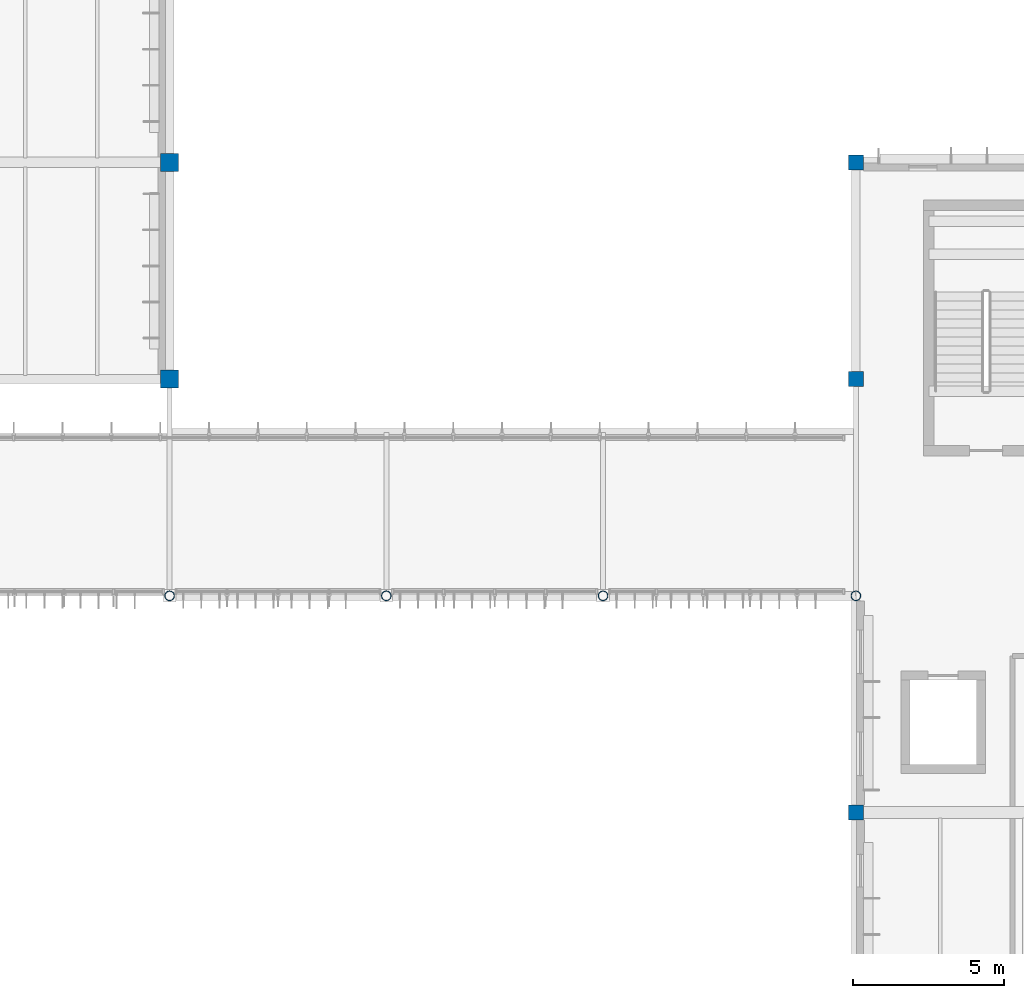
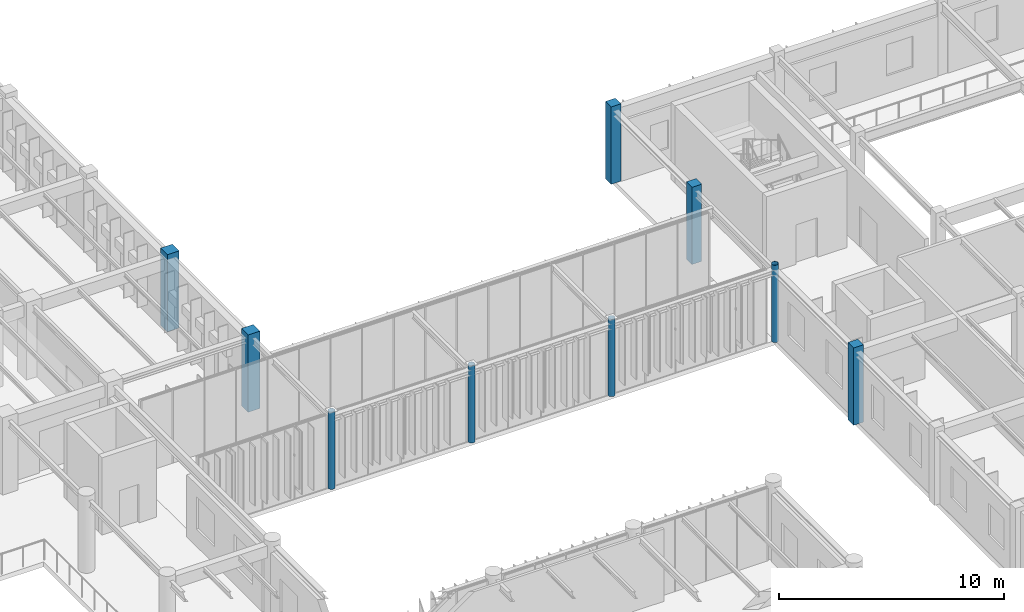
# One storey, part 5 of 122: 9 columns.
"""IFC4 building model written with IfcOpenShell, lengths in metres."""

import ifcopenshell
import ifcopenshell.guid

model = None  # the IFC model being written
_history = None  # IfcOwnerHistory: only IFC2X3 demands one
_inside = {}  # id of a spatial element -> (the spatial element, [elements in it])
_under = {}  # id of a project, library or spatial element -> (it, [spatial elements below it])
_declared = {}  # id of a project -> (the project, [libraries it declares])
_typed = {}  # id of a type object -> (the type object, [elements of that type])
_made_of = {}  # id of a material, layer set ... -> (it, [elements and type objects made of it])


def new_model(schema):
    """Start an empty IFC model of exactly this schema.

    Asked for "IFC4X3", IfcOpenShell would pick the latest addendum, in which some entities
    have other attributes; the version numbers below select the first issue.
    IFC2X3 requires an IfcOwnerHistory on every rooted entity: one is made here for all.
    """
    global model, _history
    if schema == "IFC4X3":
        model = ifcopenshell.file(schema_version=(4, 3, 0, 0))
    else:
        model = ifcopenshell.file(schema=schema)
    _inside.clear()
    _under.clear()
    _declared.clear()
    _typed.clear()
    _made_of.clear()
    _history = None
    if model.schema == "IFC2X3":
        org = make("IfcOrganization", Name="unknown")
        user = make(
            "IfcPersonAndOrganization",
            ThePerson=make("IfcPerson", FamilyName="unknown"),
            TheOrganization=org,
        )
        app = make(
            "IfcApplication",
            ApplicationDeveloper=org,
            Version="unknown",
            ApplicationFullName="unknown",
            ApplicationIdentifier="unknown",
        )
        _history = make(
            "IfcOwnerHistory",
            OwningUser=user,
            OwningApplication=app,
            ChangeAction="ADDED",
            CreationDate=0,
        )
    return model


def make(cls, **values):
    """One entity of the class cls with the attributes given. An attribute that is None is left unset."""
    return model.create_entity(
        cls, **{name: value for name, value in values.items() if value is not None}
    )


def rooted(cls, **values):
    """An entity with a GlobalId (a new one), such as an element, a storey or a relation."""
    return make(cls, GlobalId=ifcopenshell.guid.new(), OwnerHistory=_history, **values)


def si_unit(unit_type, name, prefix=None):
    """IfcSIUnit, for example si_unit("LENGTHUNIT", "METRE", prefix="MILLI")."""
    return make("IfcSIUnit", UnitType=unit_type, Prefix=prefix, Name=name)


def assignment(units):
    """IfcUnitAssignment: the units of a project."""
    return None if units is None else make("IfcUnitAssignment", Units=units)


def point(xyz):
    """IfcCartesianPoint."""
    return None if xyz is None else make("IfcCartesianPoint", Coordinates=xyz)


def direction(xyz):
    """IfcDirection."""
    return None if xyz is None else make("IfcDirection", DirectionRatios=xyz)


def frame(location, z_axis=None, x_axis=None):
    """IfcAxis2Placement3D, a coordinate frame: its origin and axes. An axis left out is left unset."""
    return make(
        "IfcAxis2Placement3D",
        Location=point(location),
        Axis=direction(z_axis),
        RefDirection=direction(x_axis),
    )


def frame_2d(location, x_axis=None):
    """IfcAxis2Placement2D, a coordinate frame in the plane: its origin and x axis."""
    return make(
        "IfcAxis2Placement2D", Location=point(location), RefDirection=direction(x_axis)
    )


def origin():
    """The frame at (0, 0, 0) with its axes left unset."""
    return frame((0.0, 0.0, 0.0))


def origin_2d():
    """The frame at (0, 0) in the plane with its x axis left unset."""
    return frame_2d((0.0, 0.0))


def place(relative_to, where):
    """IfcLocalPlacement: puts the frame where relative to a parent placement (None: the world)."""
    return make(
        "IfcLocalPlacement", PlacementRelTo=relative_to, RelativePlacement=where
    )


def context(
    kind, dimensions, precision=None, world=None, true_north=None, identifier=None
):
    """IfcGeometricRepresentationContext, for example the 3D "Model" context."""
    return make(
        "IfcGeometricRepresentationContext",
        ContextIdentifier=identifier,
        ContextType=kind,
        CoordinateSpaceDimension=dimensions,
        Precision=precision,
        WorldCoordinateSystem=world,
        TrueNorth=true_north,
    )


def subcontext(parent, identifier, kind, view, scale=None):
    """IfcGeometricRepresentationSubContext, for example "Body" below "Model"."""
    return make(
        "IfcGeometricRepresentationSubContext",
        ContextIdentifier=identifier,
        ContextType=kind,
        ParentContext=parent,
        TargetScale=scale,
        TargetView=view,
    )


def project(units=None, contexts=None):
    """IfcProject with its units and contexts."""
    return rooted(
        "IfcProject",
        Name="project",
        RepresentationContexts=contexts,
        UnitsInContext=assignment(units),
    )


def spatial(cls, under=None, at=None, **own):
    """A site, building, storey or space (cls), placed at a placement, below another one or the project."""
    s = rooted(cls, ObjectPlacement=at, **own)
    if under is not None:
        _under.setdefault(under.id(), (under, []))[1].append(s)
    return s


def profile(cls, at=None, kind="AREA", **sizes):
    """A parametric profile (cls). Its sizes go by their IFC names, for example OverallWidth=200.0."""
    return make(cls, ProfileType=kind, Position=at, **sizes)


def rectangle(**sizes):
    """IfcRectangleProfileDef."""
    return profile("IfcRectangleProfileDef", **sizes)


def hollow_circle(**sizes):
    """IfcCircleHollowProfileDef."""
    return profile("IfcCircleHollowProfileDef", **sizes)


def extrude(swept, where, along, depth):
    """IfcExtrudedAreaSolid: the profile swept, set in the frame where, extruded along a direction by depth."""
    return make(
        "IfcExtrudedAreaSolid",
        SweptArea=swept,
        Position=where,
        ExtrudedDirection=direction(along),
        Depth=depth,
    )


def shape(context_of_items, identifier, shape_type, items):
    """IfcShapeRepresentation: the items that make up one representation, for example the "Body"."""
    return make(
        "IfcShapeRepresentation",
        ContextOfItems=context_of_items,
        RepresentationIdentifier=identifier,
        RepresentationType=shape_type,
        Items=items,
    )


def material(Name=None, Category=None):
    """IfcMaterial."""
    return make("IfcMaterial", Name=Name, Category=Category)


def material_profile(
    of_material, cross_section, Name=None, Category=None, Priority=None
):
    """IfcMaterialProfile: a cross section and its material."""
    return make(
        "IfcMaterialProfile",
        Name=Name,
        Material=of_material,
        Profile=cross_section,
        Priority=Priority,
        Category=Category,
    )


def profile_set(profiles, Name=None, composite=None):
    """IfcMaterialProfileSet."""
    return make(
        "IfcMaterialProfileSet",
        Name=Name,
        MaterialProfiles=profiles,
        CompositeProfile=composite,
    )


def made_of(thing, what):
    """Note that an element or type object is made of a material, layer set ...; save() writes the relation."""
    if what is not None:
        _made_of.setdefault(what.id(), (what, []))[1].append(thing)
    return thing


def type_object(cls, material=None, **own):
    """A type object (cls), such as IfcWallType, which elements share."""
    return made_of(rooted(cls, **own), material)


def element(
    cls,
    number,
    at=None,
    inside=None,
    cuts=None,
    type_object=None,
    material=None,
    context=None,
    identifier="Body",
    shape_type=None,
    held_by="IfcProductDefinitionShape",
    body=None,
    shapes=None,
    **own,
):
    """One element of the class cls, such as IfcWall. Its Tag is "e" and its number.

    at: its placement. inside: the storey or other place that contains it. cuts: it is an
    opening in that element (IfcRelVoidsElement). A single representation is given by context,
    identifier, shape_type and body (its items); several are given by shapes. held_by: the class
    of the entity that holds the representations. save() writes the other relations.
    """
    e = rooted(cls, Tag="e%d" % number, ObjectPlacement=at, **own)
    if body is not None:
        shapes = [shape(context, identifier, shape_type, body)]
    if shapes is not None:
        e.Representation = make(held_by, Representations=shapes)
    if inside is not None:
        _inside.setdefault(inside.id(), (inside, []))[1].append(e)
    if cuts is not None:
        rooted(
            "IfcRelVoidsElement", RelatingBuildingElement=cuts, RelatedOpeningElement=e
        )
    if type_object is not None:
        _typed.setdefault(type_object.id(), (type_object, []))[1].append(e)
    return made_of(e, material)


def aggregate(whole, parts):
    """IfcRelAggregates: a whole, such as a stair, and the parts it consists of."""
    return rooted("IfcRelAggregates", RelatingObject=whole, RelatedObjects=parts)


def save(model, path):
    """Write the relations noted so far, then the file.

    IfcRelAggregates (storeys below a building ...), IfcRelContainedInSpatialStructure (elements
    in a storey), IfcRelDefinesByType, IfcRelAssociatesMaterial and IfcRelDeclares: one each for
    every whole, place, type object, material and project.
    """
    for whole, parts in _under.values():
        aggregate(whole, parts)
    for where, things in _inside.values():
        rooted(
            "IfcRelContainedInSpatialStructure",
            RelatedElements=things,
            RelatingStructure=where,
        )
    for kind, things in _typed.values():
        rooted("IfcRelDefinesByType", RelatedObjects=things, RelatingType=kind)
    for what, things in _made_of.values():
        rooted("IfcRelAssociatesMaterial", RelatedObjects=things, RelatingMaterial=what)
    for by, libraries in _declared.values():
        rooted("IfcRelDeclares", RelatingContext=by, RelatedDefinitions=libraries)
    model.write(path)


model = new_model("IFC4")

# Units and contexts
model_context = context("Model", 3, precision=1e-05, world=origin(), true_north=direction((0.0, 1.0)))
body_context = subcontext(model_context, "Body", "Model", "MODEL_VIEW")
ifc_project = project(units=[si_unit("LENGTHUNIT", "METRE"), si_unit("AREAUNIT", "SQUARE_METRE"), si_unit("VOLUMEUNIT", "CUBIC_METRE"), si_unit("PLANEANGLEUNIT", "RADIAN"), si_unit("MASSUNIT", "GRAM", prefix="KILO")], contexts=[model_context])

# Site, building, storey
site_placement = place(None, origin())
site = spatial("IfcSite", under=ifc_project, at=site_placement, CompositionType="ELEMENT")
building_placement = place(site_placement, origin())
building = spatial("IfcBuilding", under=site, at=building_placement, Name="Tazoul Stagehouse", CompositionType="ELEMENT")
storey_placement = place(building_placement, frame((0.0, 0.0, 4.800048828125)))
storey = spatial("IfcBuildingStorey", under=building, at=storey_placement, Name="L01", CompositionType="ELEMENT", Elevation=4.800048828125)

# Columns
ifc_material_1 = material(Name="Concrete C40/50", Category="concrete")
ifc_material_profile_1 = material_profile(ifc_material_1, rectangle(XDim=0.5, YDim=0.5, at=origin_2d()), Name="RC 500x500")
ifc_profile_set_1 = profile_set([ifc_material_profile_1], Name="Concrete C40/50")
column_type_1 = type_object("IfcColumnType", Name="RC Column 500x500 (Exterior)", PredefinedType="COLUMN", material=ifc_profile_set_1)
for number, where, z_axis, x_axis, name in (
    (1, (125.39990234375, 37.39990234375, 0.0), (0.0, 0.0, 1.0), (1.0, 0.0, 0.0), "L01 Column C-02E at 19/F"),
    (2, (125.39990234375, 51.800048828125, 0.0), (0.0, 0.0, 1.0), (1.0, 0.0, 0.0), "L01 Column C-02E at 19/H"),
    (3, (125.39990234375, 59.0, 0.0), (0.0, 0.0, 1.0), (1.0, 0.0, 0.0), "L01 Column C-02E at 19/J"),
):
    element("IfcColumn", number, at=place(storey_placement, frame(where, z_axis=z_axis, x_axis=x_axis)), inside=storey, type_object=column_type_1, Name=name, PredefinedType="COLUMN", context=body_context, shape_type="SweptSolid", body=[
        extrude(rectangle(XDim=0.5, YDim=0.5, at=origin_2d()), origin(), (0.0, 0.0, 1.0), 4.199951171875),
    ])
ifc_material_profile_2 = material_profile(ifc_material_1, rectangle(XDim=0.60009765625, YDim=0.60009765625, at=origin_2d()), Name="RC 600x600")
ifc_profile_set_2 = profile_set([ifc_material_profile_2], Name="Concrete C40/50")
column_type_2 = type_object("IfcColumnType", Name="RC Column 600x600 (Exterior)", PredefinedType="COLUMN", material=ifc_profile_set_2)
for number, where, z_axis, x_axis, name in (
    (4, (102.60009765625, 51.800048828125, 0.0), (0.0, 0.0, 1.0), (1.0, 0.0, 0.0), "L01 Column C-03E at 16/H"),
    (5, (102.60009765625, 59.0, 0.0), (0.0, 0.0, 1.0), (1.0, 0.0, 0.0), "L01 Column C-03E at 16/J"),
):
    element("IfcColumn", number, at=place(storey_placement, frame(where, z_axis=z_axis, x_axis=x_axis)), inside=storey, type_object=column_type_2, Name=name, PredefinedType="COLUMN", context=body_context, shape_type="SweptSolid", body=[
        extrude(rectangle(XDim=0.60009765625, YDim=0.60009765625, at=origin_2d()), origin(), (0.0, 0.0, 1.0), 4.199951171875),
    ])
ifc_material_2 = material(Name="Steel S355", Category="steel")
ifc_material_profile_3 = material_profile(ifc_material_2, hollow_circle(Radius=0.161865234375, WallThickness=0.012451171875, at=origin_2d()), Name="CHS 323.9x12.5")
ifc_profile_set_3 = profile_set([ifc_material_profile_3], Name="Steel S355")
column_type_3 = type_object("IfcColumnType", Name="Steel Arcade Column CHS 323.9x12.5 (Exterior)", PredefinedType="COLUMN", material=ifc_profile_set_3)
for number, where, z_axis, x_axis, name in (
    (6, (102.60009765625, 44.60009765625, 0.0), (0.0, 0.0, 1.0), (1.0, 0.0, 0.0), "L01 Column SC-07E at 16/G"),
    (7, (109.800048828125, 44.60009765625, 0.0), (0.0, 0.0, 1.0), (1.0, 0.0, 0.0), "L01 Column SC-07E at 17/G"),
    (8, (117.0, 44.60009765625, 0.0), (0.0, 0.0, 1.0), (1.0, 0.0, 0.0), "L01 Column SC-07E at 18/G"),
    (9, (125.39990234375, 44.60009765625, 0.0), (0.0, 0.0, 1.0), (1.0, 0.0, 0.0), "L01 Column SC-07E at 19/G"),
):
    element("IfcColumn", number, at=place(storey_placement, frame(where, z_axis=z_axis, x_axis=x_axis)), inside=storey, type_object=column_type_3, Name=name, PredefinedType="COLUMN", context=body_context, shape_type="SweptSolid", body=[
        extrude(hollow_circle(Radius=0.161865234375, WallThickness=0.012451171875, at=origin_2d()), origin(), (0.0, 0.0, 1.0), 4.199951171875),
    ])

save(model, "model.ifc")
